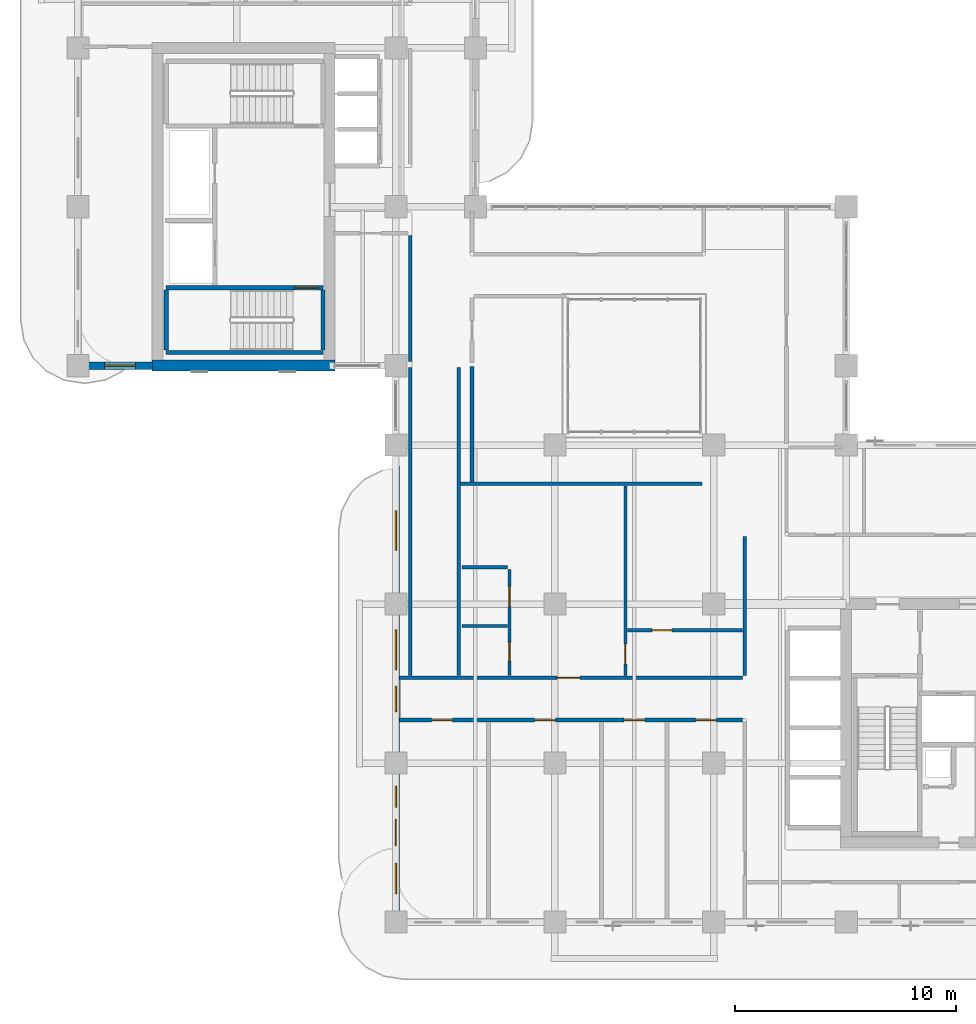
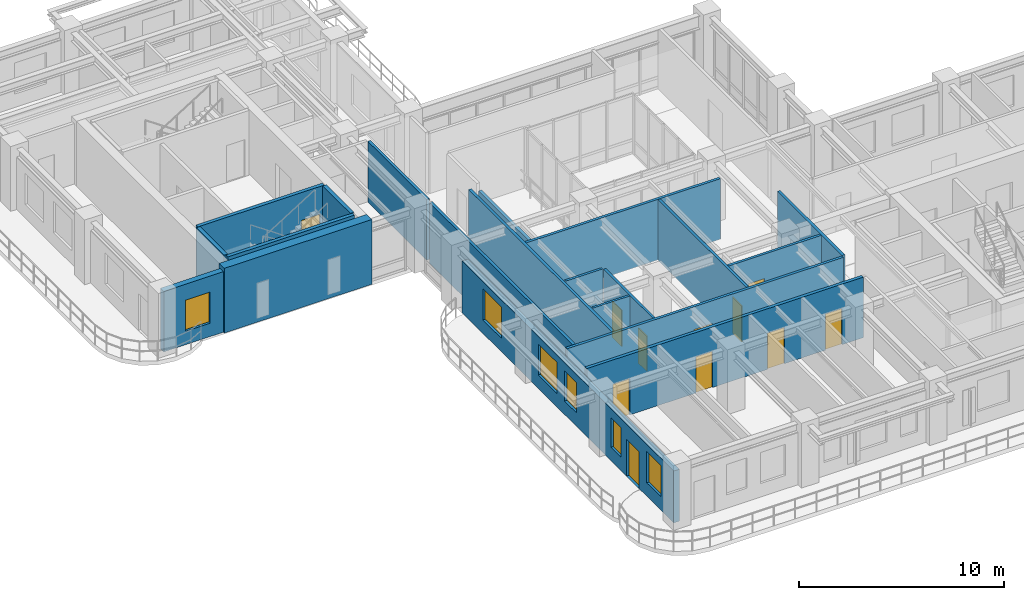
# One storey, part 11 of 21: 20 walls, 11 doors, 6 windows, 17 openings.
"""IFC4 building model written with IfcOpenShell, lengths in metres."""

from ifc_helpers import new_model, si_unit, derived_unit, direction, frame, frame_2d, origin, place, context, subcontext, project, spatial, rectangle, extrude, source, transform, mapped, material, layer, layer_set, type_object, type_shapes, element, fill, save


model = new_model("IFC4")

# Units and contexts
model_context = context("Model", 3, precision=1e-05, world=origin(), true_north=direction((0.0, 1.0)))
body_context = subcontext(model_context, "Body", "Model", "MODEL_VIEW")
ifc_project = project(units=[si_unit("LENGTHUNIT", "METRE"), si_unit("AREAUNIT", "SQUARE_METRE"), si_unit("VOLUMEUNIT", "CUBIC_METRE"), si_unit("PLANEANGLEUNIT", "RADIAN"), si_unit("MASSUNIT", "GRAM", prefix="KILO"), si_unit("THERMODYNAMICTEMPERATUREUNIT", "KELVIN"), si_unit("POWERUNIT", "WATT"), derived_unit("THERMALTRANSMITTANCEUNIT", [(si_unit("POWERUNIT", "WATT"), 1), (si_unit("AREAUNIT", "SQUARE_METRE"), -1), (si_unit("THERMODYNAMICTEMPERATUREUNIT", "KELVIN"), -1)])], contexts=[model_context])

# Site, building, storey
site_placement = place(None, origin())
site = spatial("IfcSite", under=ifc_project, at=site_placement, CompositionType="ELEMENT")
building_placement = place(site_placement, origin())
building = spatial("IfcBuilding", under=site, at=building_placement, Name="Zahravan Archway Hotel and Residences", CompositionType="ELEMENT")
storey_placement = place(building_placement, frame((0.0, 0.0, 169.550048828125)))
storey = spatial("IfcBuildingStorey", under=building, at=storey_placement, Name="L42", CompositionType="ELEMENT", Elevation=169.550048828125)

# Wall
ifc_material_1 = material(Name="Concrete C60/75", Category="concrete")
ifc_layer_1 = layer(ifc_material_1, 0.5, Name="Concrete C60/75", Category="concrete")
ifc_layer_set_1 = layer_set([ifc_layer_1], Name="Concrete C60/75")
wall_type_1 = type_object("IfcWallType", Name="CW-CORE-500", PredefinedType="SHEAR", material=ifc_layer_set_1)
wall_1_placement = place(storey_placement, frame((3.35009765625, 25.199951171875, 0.0), z_axis=(0.0, 0.0, 1.0), x_axis=(1.0, 0.0, 0.0)))
element("IfcWall", 1, at=wall_1_placement, inside=storey, type_object=wall_type_1, Name="L42 Core B Shear S Wall 500 mm", PredefinedType="SHEAR", context=body_context, shape_type="SweptSolid", body=[
    extrude(rectangle(XDim=8.2998046875, YDim=0.5, at=frame_2d((4.14990234375, 0.0))), origin(), (0.0, 0.0, 1.0), 3.849853515625),
])

# Wall, openings, door, windows
ifc_material_2 = material(Name="Agra Buff Sandstone & Insulated Backup", Category="masonry")
ifc_layer_2 = layer(ifc_material_2, 0.320068359375, Name="Agra Buff Sandstone & Insulated Backup", Category="masonry")
ifc_layer_set_2 = layer_set([ifc_layer_2], Name="Agra Buff Sandstone & Insulated Backup")
wall_type_2 = type_object("IfcWallType", Name="EW-SAND-320", PredefinedType="SOLIDWALL", material=ifc_layer_set_2)
wall_2_placement = place(storey_placement, frame((14.39990234375, 0.050048828125, 0.0), z_axis=(0.0, 0.0, 1.0), x_axis=(0.0, 1.0, 0.0)))
wall_2 = element("IfcWall", 2, at=wall_2_placement, inside=storey, type_object=wall_type_2, Name="L42 Exterior Sandstone Wall WA-WL", PredefinedType="SOLIDWALL", context=body_context, shape_type="SweptSolid", body=[
    extrude(rectangle(XDim=20.599853515625, YDim=0.320068359375, at=frame_2d((10.2998046875, 0.0))), origin(), (0.0, 0.0, 1.0), 3.0849609375),
])
opening_1_placement = place(wall_2_placement, frame((3.39990234375, 0.0, 0.0)))
opening_1 = element("IfcOpeningElement", 3, at=opening_1_placement, cuts=wall_2, Name="Opening ED-BL1", PredefinedType="OPENING", context=body_context, shape_type="SweptSolid", body=[
    extrude(rectangle(XDim=1.199951171875, YDim=2.199951171875, at=frame_2d((0.60009765625, 1.10009765625))), frame((0.0, 0.169921875, 0.0), z_axis=(0.0, -1.0, 0.0), x_axis=(1.0, 0.0, 0.0)), (0.0, 0.0, 1.0), 0.340087890625),
])
opening_2_placement = place(wall_2_placement, frame((1.22509765625, 0.0, 0.800048828125)))
opening_2 = element("IfcOpeningElement", 4, at=opening_2_placement, cuts=wall_2, Name="Opening W-03", PredefinedType="OPENING", context=body_context, shape_type="SweptSolid", body=[
    extrude(rectangle(XDim=1.39990234375, YDim=1.85009765625, at=frame_2d((0.699951171875, 0.925048828125))), frame((0.0, 0.169921875, 0.0), z_axis=(0.0, -1.0, 0.0), x_axis=(1.0, 0.0, 0.0)), (0.0, 0.0, 1.0), 0.340087890625),
])
opening_3_placement = place(wall_2_placement, frame((5.14990234375, 0.0, 0.800048828125)))
opening_3 = element("IfcOpeningElement", 5, at=opening_3_placement, cuts=wall_2, Name="Opening W-04", PredefinedType="OPENING", context=body_context, shape_type="SweptSolid", body=[
    extrude(rectangle(XDim=0.949951171875, YDim=1.75, at=frame_2d((0.47509765625, 0.875))), frame((0.0, 0.169921875, 0.0), z_axis=(0.0, -1.0, 0.0), x_axis=(1.0, 0.0, 0.0)), (0.0, 0.0, 1.0), 0.340087890625),
])
opening_4_placement = place(wall_2_placement, frame((9.485107421875, 0.0, 0.800048828125)))
opening_4 = element("IfcOpeningElement", 6, at=opening_4_placement, cuts=wall_2, Name="Opening W-05", PredefinedType="OPENING", context=body_context, shape_type="SweptSolid", body=[
    extrude(rectangle(XDim=1.14990234375, YDim=1.800048828125, at=frame_2d((0.574951171875, 0.89990234375))), frame((0.0, 0.169921875, 0.0), z_axis=(0.0, -1.0, 0.0), x_axis=(1.0, 0.0, 0.0)), (0.0, 0.0, 1.0), 0.340087890625),
])
opening_5_placement = place(wall_2_placement, frame((11.388916015625, 0.0, 0.800048828125)))
opening_5 = element("IfcOpeningElement", 7, at=opening_5_placement, cuts=wall_2, Name="Opening W-02", PredefinedType="OPENING", context=body_context, shape_type="SweptSolid", body=[
    extrude(rectangle(XDim=1.800048828125, YDim=1.85009765625, at=frame_2d((0.89990234375, 0.925048828125))), frame((0.0, 0.169921875, 0.0), z_axis=(0.0, -1.0, 0.0), x_axis=(1.0, 0.0, 0.0)), (0.0, 0.0, 1.0), 0.340087890625),
])
opening_6_placement = place(wall_2_placement, frame((16.7900390625, 0.0, 0.800048828125)))
opening_6 = element("IfcOpeningElement", 8, at=opening_6_placement, cuts=wall_2, Name="Opening W-02", PredefinedType="OPENING", context=body_context, shape_type="SweptSolid", body=[
    extrude(rectangle(XDim=1.800048828125, YDim=1.85009765625, at=frame_2d((0.89990234375, 0.925048828125))), frame((0.0, 0.169921875, 0.0), z_axis=(0.0, -1.0, 0.0), x_axis=(1.0, 0.0, 0.0)), (0.0, 0.0, 1.0), 0.340087890625),
])
ifc_material_3 = material(Name="Bronze-Anodized Glazed Aluminium", Category="aluminium")
door_type_1 = type_object("IfcDoorType", Name="ED-BALC-1200", OperationType="SLIDING_TO_LEFT", PredefinedType="DOOR", material=ifc_material_3)
shared_shape_1 = source(origin(), body_context, "Body", "SweptSolid", [
    extrude(rectangle(XDim=1.199951171875, YDim=2.199951171875, at=frame_2d((0.60009765625, 1.10009765625))), frame((0.0, 0.02490234375, 0.0), z_axis=(0.0, -1.0, 0.0), x_axis=(1.0, 0.0, 0.0)), (0.0, 0.0, 1.0), 0.050048828125),
])
type_shapes(door_type_1, [shared_shape_1])
door_1_placement = place(opening_1_placement, origin())
door_1 = element("IfcDoor", 9, at=door_1_placement, inside=storey, type_object=door_type_1, Name="L42 Outdoor Access Sliding Door (SLB-BAL-L42-WA)", OperationType="SLIDING_TO_LEFT", OverallHeight=2.199951171875, OverallWidth=1.199951171875, PredefinedType="DOOR", context=body_context, shape_type="MappedRepresentation", body=[
    mapped(shared_shape_1, transform((0.0, 0.0, 0.0), scale=1.0)),
])
fill(opening_1, door_1)
ifc_material_4 = material(Name="Bronze-Anodized Thermal-Break Aluminium & Low-E Glass", Category="aluminium")
window_type_1 = type_object("IfcWindowType", Name="WIN-TWR-1400", PartitioningType="SINGLE_PANEL", PredefinedType="WINDOW", material=ifc_material_4)
shared_shape_2 = source(origin(), body_context, "Body", "SweptSolid", [
    extrude(rectangle(XDim=1.39990234375, YDim=1.85009765625, at=frame_2d((0.699951171875, 0.925048828125))), frame((0.0, 0.030029296875, 0.0), z_axis=(0.0, -1.0, 0.0), x_axis=(1.0, 0.0, 0.0)), (0.0, 0.0, 1.0), 0.06005859375),
])
type_shapes(window_type_1, [shared_shape_2])
window_1_placement = place(opening_2_placement, origin())
window_1 = element("IfcWindow", 10, at=window_1_placement, inside=storey, type_object=window_type_1, Name="L42 Loggia Window 16", OverallHeight=1.85009765625, OverallWidth=1.39990234375, PartitioningType="SINGLE_PANEL", PredefinedType="WINDOW", context=body_context, shape_type="MappedRepresentation", body=[
    mapped(shared_shape_2, transform((0.0, 0.0, 0.0), scale=1.0)),
])
fill(opening_2, window_1)
window_type_2 = type_object("IfcWindowType", Name="WIN-NAR-950", PartitioningType="SINGLE_PANEL", PredefinedType="WINDOW", material=ifc_material_4)
shared_shape_3 = source(origin(), body_context, "Body", "SweptSolid", [
    extrude(rectangle(XDim=0.949951171875, YDim=1.75, at=frame_2d((0.47509765625, 0.875))), frame((0.0, 0.030029296875, 0.0), z_axis=(0.0, -1.0, 0.0), x_axis=(1.0, 0.0, 0.0)), (0.0, 0.0, 1.0), 0.06005859375),
])
type_shapes(window_type_2, [shared_shape_3])
window_2_placement = place(opening_3_placement, origin())
window_2 = element("IfcWindow", 11, at=window_2_placement, inside=storey, type_object=window_type_2, Name="L42 Loggia Window 17", OverallHeight=1.75, OverallWidth=0.949951171875, PartitioningType="SINGLE_PANEL", PredefinedType="WINDOW", context=body_context, shape_type="MappedRepresentation", body=[
    mapped(shared_shape_3, transform((0.0, 0.0, 0.0), scale=1.0)),
])
fill(opening_3, window_2)
window_type_3 = type_object("IfcWindowType", Name="WIN-TWR-1800", PartitioningType="DOUBLE_PANEL_VERTICAL", PredefinedType="WINDOW", material=ifc_material_4)
shared_shape_4 = source(origin(), body_context, "Body", "SweptSolid", [
    extrude(rectangle(XDim=1.800048828125, YDim=1.85009765625, at=frame_2d((0.89990234375, 0.925048828125))), frame((0.0, 0.030029296875, 0.0), z_axis=(0.0, -1.0, 0.0), x_axis=(1.0, 0.0, 0.0)), (0.0, 0.0, 1.0), 0.06005859375),
])
type_shapes(window_type_3, [shared_shape_4])
window_3_placement = place(opening_5_placement, origin())
window_3 = element("IfcWindow", 12, at=window_3_placement, inside=storey, type_object=window_type_3, Name="L42 Loggia Window 19", OverallHeight=1.85009765625, OverallWidth=1.800048828125, PartitioningType="DOUBLE_PANEL_VERTICAL", PredefinedType="WINDOW", context=body_context, shape_type="MappedRepresentation", body=[
    mapped(shared_shape_4, transform((0.0, 0.0, 0.0), scale=1.0)),
])
fill(opening_5, window_3)
window_4_placement = place(opening_6_placement, origin())
window_4 = element("IfcWindow", 13, at=window_4_placement, inside=storey, type_object=window_type_3, Name="L42 Loggia Window 20", OverallHeight=1.85009765625, OverallWidth=1.800048828125, PartitioningType="DOUBLE_PANEL_VERTICAL", PredefinedType="WINDOW", context=body_context, shape_type="MappedRepresentation", body=[
    mapped(shared_shape_4, transform((0.0, 0.0, 0.0), scale=1.0)),
])
fill(opening_6, window_4)
window_type_4 = type_object("IfcWindowType", Name="WIN-TWR-1150", PartitioningType="SINGLE_PANEL", PredefinedType="WINDOW", material=ifc_material_4)
shared_shape_5 = source(origin(), body_context, "Body", "SweptSolid", [
    extrude(rectangle(XDim=1.14990234375, YDim=1.800048828125, at=frame_2d((0.574951171875, 0.89990234375))), frame((0.0, 0.030029296875, 0.0), z_axis=(0.0, -1.0, 0.0), x_axis=(1.0, 0.0, 0.0)), (0.0, 0.0, 1.0), 0.06005859375),
])
type_shapes(window_type_4, [shared_shape_5])
window_5_placement = place(opening_4_placement, origin())
window_5 = element("IfcWindow", 14, at=window_5_placement, inside=storey, type_object=window_type_4, Name="L42 Loggia Window 18", OverallHeight=1.800048828125, OverallWidth=1.14990234375, PartitioningType="SINGLE_PANEL", PredefinedType="WINDOW", context=body_context, shape_type="MappedRepresentation", body=[
    mapped(shared_shape_5, transform((0.0, 0.0, 0.0), scale=1.0)),
])
fill(opening_4, window_5)

# Wall, opening, window
wall_3_placement = place(storey_placement, frame((0.0, 25.199951171875, 0.0), z_axis=(0.0, 0.0, 1.0), x_axis=(1.0, 0.0, 0.0)))
wall_3 = element("IfcWall", 15, at=wall_3_placement, inside=storey, type_object=wall_type_2, Name="L42 Exterior Sandstone Wall WB-SW", PredefinedType="SOLIDWALL", context=body_context, shape_type="SweptSolid", body=[
    extrude(rectangle(XDim=3.3798828125, YDim=0.320068359375, at=frame_2d((1.68994140625, 0.0))), origin(), (0.0, 0.0, 1.0), 3.599853515625),
])
opening_7_placement = place(wall_3_placement, frame((1.205078125, 0.0, 0.800048828125)))
opening_7 = element("IfcOpeningElement", 16, at=opening_7_placement, cuts=wall_3, Name="Opening W-03", PredefinedType="OPENING", context=body_context, shape_type="SweptSolid", body=[
    extrude(rectangle(XDim=1.39990234375, YDim=1.85009765625, at=frame_2d((0.699951171875, 0.925048828125))), frame((0.0, 0.169921875, 0.0), z_axis=(0.0, -1.0, 0.0), x_axis=(1.0, 0.0, 0.0)), (0.0, 0.0, 1.0), 0.340087890625),
])
window_6_placement = place(opening_7_placement, origin())
window_6 = element("IfcWindow", 17, at=window_6_placement, inside=storey, type_object=window_type_1, Name="L42 Loggia Window 21", OverallHeight=1.85009765625, OverallWidth=1.39990234375, PartitioningType="SINGLE_PANEL", PredefinedType="WINDOW", context=body_context, shape_type="MappedRepresentation", body=[
    mapped(shared_shape_2, transform((0.0, 0.0, 0.0), scale=1.0)),
])
fill(opening_7, window_6)

# Wall, opening, door
ifc_material_5 = material(Name="Fire-Rated Gypsum & Concrete Block", Category="concrete")
ifc_layer_3 = layer(ifc_material_5, 0.159912109375, Name="Fire-Rated Gypsum & Concrete Block", Category="concrete")
ifc_layer_set_3 = layer_set([ifc_layer_3], Name="Fire-Rated Gypsum & Concrete Block")
wall_type_3 = type_object("IfcWallType", Name="PW-CORR-160", PredefinedType="PARTITIONING", material=ifc_layer_set_3)
wall_4_placement = place(storey_placement, frame((14.568115234375, 11.070068359375, 0.0), z_axis=(0.0, 0.0, 1.0), x_axis=(1.0, 0.0, 0.0)))
wall_4 = element("IfcWall", 18, at=wall_4_placement, inside=storey, type_object=wall_type_3, Name="L42 Partition WA-CN", PredefinedType="PARTITIONING", context=body_context, shape_type="SweptSolid", body=[
    extrude(rectangle(XDim=15.5419921875, YDim=0.159912109375, at=frame_2d((7.77099609375, 0.0))), origin(), (0.0, 0.0, 1.0), 3.599853515625),
])
opening_8_placement = place(wall_4_placement, frame((7.1220703125, 0.0, 0.0)))
opening_8 = element("IfcOpeningElement", 19, at=opening_8_placement, cuts=wall_4, Name="Opening D-U1", PredefinedType="OPENING", context=body_context, shape_type="SweptSolid", body=[
    extrude(rectangle(XDim=1.050048828125, YDim=2.25, at=frame_2d((0.52490234375, 1.125))), frame((0.0, 0.08984375, 0.0), z_axis=(0.0, -1.0, 0.0), x_axis=(1.0, 0.0, 0.0)), (0.0, 0.0, 1.0), 0.179931640625),
])
ifc_material_6 = material(Name="Hardwood Veneer Timber", Category="wood")
door_type_2 = type_object("IfcDoorType", Name="ID-UNIT-1050", OperationType="NOTDEFINED", PredefinedType="DOOR", material=ifc_material_6)
shared_shape_6 = source(origin(), body_context, "Body", "SweptSolid", [
    extrude(rectangle(XDim=1.050048828125, YDim=2.25, at=frame_2d((0.52490234375, 1.125))), frame((0.0, 0.02490234375, 0.0), z_axis=(0.0, -1.0, 0.0), x_axis=(1.0, 0.0, 0.0)), (0.0, 0.0, 1.0), 0.050048828125),
])
type_shapes(door_type_2, [shared_shape_6])
door_2_placement = place(opening_8_placement, origin())
door_2 = element("IfcDoor", 20, at=door_2_placement, inside=storey, type_object=door_type_2, Name="L42 Flat AT1 Entrance Door", OperationType="SINGLE_SWING_LEFT", OverallHeight=2.25, OverallWidth=1.050048828125, PredefinedType="DOOR", context=body_context, shape_type="MappedRepresentation", body=[
    mapped(shared_shape_6, transform((0.0, 0.0, 0.0), scale=1.0)),
])
fill(opening_8, door_2)

# Walls
wall_5_placement = place(storey_placement, frame((30.199951171875, 11.159912109375, 0.0), z_axis=(0.0, 0.0, 1.0), x_axis=(0.0, 1.0, 0.0)))
element("IfcWall", 21, at=wall_5_placement, inside=storey, type_object=wall_type_3, Name="L42 Partition WA-FW", PredefinedType="PARTITIONING", context=body_context, shape_type="SweptSolid", body=[
    extrude(rectangle(XDim=6.300048828125, YDim=0.159912109375, at=frame_2d((3.14990234375, 0.0))), origin(), (0.0, 0.0, 1.0), 3.599853515625),
])
for number, where, z_axis, x_axis, name in (
    (22, (15.050048828125, 11.159912109375, 0.0), (0.0, 0.0, 1.0), (0.0, 1.0, 0.0), "L42 Partition LNK-W"),
    (23, (17.25, 11.159912109375, 0.0), (0.0, 0.0, 1.0), (0.0, 1.0, 0.0), "L42 Partition LNK-E"),
):
    element("IfcWall", number, at=place(storey_placement, frame(where, z_axis=z_axis, x_axis=x_axis)), inside=storey, type_object=wall_type_3, Name=name, PredefinedType="PARTITIONING", context=body_context, shape_type="SweptSolid", body=[
        extrude(rectangle(XDim=13.9501953125, YDim=0.159912109375, at=frame_2d((6.97509765625, 0.0))), origin(), (0.0, 0.0, 1.0), 3.599853515625),
    ])
wall_6_placement = place(storey_placement, frame((15.050048828125, 25.389892578125, 0.0), z_axis=(0.0, 0.0, 1.0), x_axis=(0.0, 1.0, 0.0)))
element("IfcWall", 24, at=wall_6_placement, inside=storey, type_object=wall_type_3, Name="L42 Partition FB1-E", PredefinedType="PARTITIONING", context=body_context, shape_type="SweptSolid", body=[
    extrude(rectangle(XDim=5.72021484375, YDim=0.159912109375, at=frame_2d((2.860107421875, 0.0))), origin(), (0.0, 0.0, 1.0), 3.599853515625),
])
wall_7_placement = place(storey_placement, frame((17.340087890625, 19.85009765625, 0.0), z_axis=(0.0, 0.0, 1.0), x_axis=(1.0, 0.0, 0.0)))
element("IfcWall", 25, at=wall_7_placement, inside=storey, type_object=wall_type_3, Name="L42 Partition ATR-S", PredefinedType="PARTITIONING", context=body_context, shape_type="SweptSolid", body=[
    extrude(rectangle(XDim=10.919921875, YDim=0.159912109375, at=frame_2d((5.4599609375, 0.0))), origin(), (0.0, 0.0, 1.0), 3.599853515625),
])

# Wall, openings, doors
ifc_layer_4 = layer(ifc_material_5, 0.179931640625, Name="Fire-Rated Gypsum & Concrete Block", Category="concrete")
ifc_layer_set_4 = layer_set([ifc_layer_4], Name="Fire-Rated Gypsum & Concrete Block")
wall_type_4 = type_object("IfcWallType", Name="PW-CORR-180", PredefinedType="PARTITIONING", material=ifc_layer_set_4)
wall_8_placement = place(storey_placement, frame((14.568115234375, 9.14990234375, 0.0), z_axis=(0.0, 0.0, 1.0), x_axis=(1.0, 0.0, 0.0)))
wall_8 = element("IfcWall", 26, at=wall_8_placement, inside=storey, type_object=wall_type_4, Name="L42 Partition WA-CS", PredefinedType="PARTITIONING", context=body_context, shape_type="SweptSolid", body=[
    extrude(rectangle(XDim=15.5419921875, YDim=0.179931640625, at=frame_2d((7.77099609375, 0.0))), origin(), (0.0, 0.0, 1.0), 3.599853515625),
])
opening_9_placement = place(wall_8_placement, frame((1.45703125, 0.0, 0.0)))
opening_9 = element("IfcOpeningElement", 27, at=opening_9_placement, cuts=wall_8, Name="Opening D-I1", PredefinedType="OPENING", context=body_context, shape_type="SweptSolid", body=[
    extrude(rectangle(XDim=0.949951171875, YDim=2.14990234375, at=frame_2d((0.47509765625, 1.074951171875))), frame((0.0, 0.10009765625, 0.0), z_axis=(0.0, -1.0, 0.0), x_axis=(1.0, 0.0, 0.0)), (0.0, 0.0, 1.0), 0.199951171875),
])
opening_10_placement = place(wall_8_placement, frame((6.116943359375, 0.0, 0.0)))
opening_10 = element("IfcOpeningElement", 28, at=opening_10_placement, cuts=wall_8, Name="Opening D-I1", PredefinedType="OPENING", context=body_context, shape_type="SweptSolid", body=[
    extrude(rectangle(XDim=0.949951171875, YDim=2.14990234375, at=frame_2d((0.47509765625, 1.074951171875))), frame((0.0, 0.10009765625, 0.0), z_axis=(0.0, -1.0, 0.0), x_axis=(1.0, 0.0, 0.0)), (0.0, 0.0, 1.0), 0.199951171875),
])
opening_11_placement = place(wall_8_placement, frame((10.156982421875, 0.0, 0.0)))
opening_11 = element("IfcOpeningElement", 29, at=opening_11_placement, cuts=wall_8, Name="Opening D-I1", PredefinedType="OPENING", context=body_context, shape_type="SweptSolid", body=[
    extrude(rectangle(XDim=0.949951171875, YDim=2.14990234375, at=frame_2d((0.47509765625, 1.074951171875))), frame((0.0, 0.10009765625, 0.0), z_axis=(0.0, -1.0, 0.0), x_axis=(1.0, 0.0, 0.0)), (0.0, 0.0, 1.0), 0.199951171875),
])
opening_12_placement = place(wall_8_placement, frame((13.39697265625, 0.0, 0.0)))
opening_12 = element("IfcOpeningElement", 30, at=opening_12_placement, cuts=wall_8, Name="Opening D-I1", PredefinedType="OPENING", context=body_context, shape_type="SweptSolid", body=[
    extrude(rectangle(XDim=0.949951171875, YDim=2.14990234375, at=frame_2d((0.47509765625, 1.074951171875))), frame((0.0, 0.10009765625, 0.0), z_axis=(0.0, -1.0, 0.0), x_axis=(1.0, 0.0, 0.0)), (0.0, 0.0, 1.0), 0.199951171875),
])
door_type_3 = type_object("IfcDoorType", Name="ID-INT-950", OperationType="NOTDEFINED", PredefinedType="DOOR", material=ifc_material_6)
shared_shape_7 = source(origin(), body_context, "Body", "SweptSolid", [
    extrude(rectangle(XDim=0.949951171875, YDim=2.14990234375, at=frame_2d((0.47509765625, 1.074951171875))), frame((0.0, 0.02490234375, 0.0), z_axis=(0.0, -1.0, 0.0), x_axis=(1.0, 0.0, 0.0)), (0.0, 0.0, 1.0), 0.050048828125),
])
type_shapes(door_type_3, [shared_shape_7])
door_3_placement = place(opening_9_placement, origin())
door_3 = element("IfcDoor", 31, at=door_3_placement, inside=storey, type_object=door_type_3, Name="L42 Office 1 Door", OperationType="SINGLE_SWING_RIGHT", OverallHeight=2.14990234375, OverallWidth=0.949951171875, PredefinedType="DOOR", context=body_context, shape_type="MappedRepresentation", body=[
    mapped(shared_shape_7, transform((0.0, 0.0, 0.0), scale=1.0)),
])
fill(opening_9, door_3)
door_4_placement = place(opening_10_placement, origin())
door_4 = element("IfcDoor", 32, at=door_4_placement, inside=storey, type_object=door_type_3, Name="L42 Office 2 Door", OperationType="SINGLE_SWING_LEFT", OverallHeight=2.14990234375, OverallWidth=0.949951171875, PredefinedType="DOOR", context=body_context, shape_type="MappedRepresentation", body=[
    mapped(shared_shape_7, transform((0.0, 0.0, 0.0), scale=1.0)),
])
fill(opening_10, door_4)
door_5_placement = place(opening_11_placement, origin())
door_5 = element("IfcDoor", 33, at=door_5_placement, inside=storey, type_object=door_type_3, Name="L42 Office 3 Door", OperationType="SINGLE_SWING_RIGHT", OverallHeight=2.14990234375, OverallWidth=0.949951171875, PredefinedType="DOOR", context=body_context, shape_type="MappedRepresentation", body=[
    mapped(shared_shape_7, transform((0.0, 0.0, 0.0), scale=1.0)),
])
fill(opening_11, door_5)
door_6_placement = place(opening_12_placement, origin())
door_6 = element("IfcDoor", 34, at=door_6_placement, inside=storey, type_object=door_type_3, Name="L42 Boardroom Door", OperationType="SINGLE_SWING_LEFT", OverallHeight=2.14990234375, OverallWidth=0.949951171875, PredefinedType="DOOR", context=body_context, shape_type="MappedRepresentation", body=[
    mapped(shared_shape_7, transform((0.0, 0.0, 0.0), scale=1.0)),
])
fill(opening_12, door_6)

# Wall, opening, door
ifc_material_7 = material(Name="Acoustic Stud Partition")
ifc_layer_5 = layer(ifc_material_7, 0.14990234375, Name="Acoustic Stud Partition")
ifc_layer_set_5 = layer_set([ifc_layer_5], Name="Acoustic Stud Partition")
wall_type_5 = type_object("IfcWallType", Name="PW-UNIT-150", PredefinedType="PARTITIONING", material=ifc_layer_set_5)
wall_9_placement = place(storey_placement, frame((24.800048828125, 11.159912109375, 0.0), z_axis=(0.0, 0.0, 1.0), x_axis=(0.0, 1.0, 0.0)))
wall_9 = element("IfcWall", 35, at=wall_9_placement, inside=storey, type_object=wall_type_5, Name="L42 Partition FL-AT1-SP", PredefinedType="PARTITIONING", context=body_context, shape_type="SweptSolid", body=[
    extrude(rectangle(XDim=8.60009765625, YDim=0.14990234375, at=frame_2d((4.300048828125, 0.0))), origin(), (0.0, 0.0, 1.0), 3.599853515625),
])
opening_13_placement = place(wall_9_placement, frame((0.534912109375, 0.0, 0.0)))
opening_13 = element("IfcOpeningElement", 36, at=opening_13_placement, cuts=wall_9, Name="Opening D-I2", PredefinedType="OPENING", context=body_context, shape_type="SweptSolid", body=[
    extrude(rectangle(XDim=0.89990234375, YDim=2.14990234375, at=frame_2d((0.449951171875, 1.074951171875))), frame((0.0, 0.0849609375, 0.0), z_axis=(0.0, -1.0, 0.0), x_axis=(1.0, 0.0, 0.0)), (0.0, 0.0, 1.0), 0.169921875),
])
door_type_4 = type_object("IfcDoorType", Name="ID-INT-900", OperationType="NOTDEFINED", PredefinedType="DOOR", material=ifc_material_6)
shared_shape_8 = source(origin(), body_context, "Body", "SweptSolid", [
    extrude(rectangle(XDim=0.89990234375, YDim=2.14990234375, at=frame_2d((0.449951171875, 1.074951171875))), frame((0.0, 0.02490234375, 0.0), z_axis=(0.0, -1.0, 0.0), x_axis=(1.0, 0.0, 0.0)), (0.0, 0.0, 1.0), 0.050048828125),
])
type_shapes(door_type_4, [shared_shape_8])
door_7_placement = place(opening_13_placement, origin())
door_7 = element("IfcDoor", 37, at=door_7_placement, inside=storey, type_object=door_type_4, Name="L42 Flat AT1 Bedroom Hall Door", OperationType="SINGLE_SWING_RIGHT", OverallHeight=2.14990234375, OverallWidth=0.89990234375, PredefinedType="DOOR", context=body_context, shape_type="MappedRepresentation", body=[
    mapped(shared_shape_8, transform((0.0, 0.0, 0.0), scale=1.0)),
])
fill(opening_13, door_7)

wall_10_placement = place(storey_placement, frame((24.889892578125, 13.219970703125, 0.0), z_axis=(0.0, 0.0, 1.0), x_axis=(1.0, 0.0, 0.0)))
wall_10 = element("IfcWall", 38, at=wall_10_placement, inside=storey, type_object=wall_type_5, Name="L42 Partition FL-AT1-GH", PredefinedType="PARTITIONING", context=body_context, shape_type="SweptSolid", body=[
    extrude(rectangle(XDim=5.22021484375, YDim=0.14990234375, at=frame_2d((2.610107421875, 0.0))), origin(), (0.0, 0.0, 1.0), 3.599853515625),
])
opening_14_placement = place(wall_10_placement, frame((1.110107421875, 0.0, 0.0)))
opening_14 = element("IfcOpeningElement", 39, at=opening_14_placement, cuts=wall_10, Name="Opening D-I2", PredefinedType="OPENING", context=body_context, shape_type="SweptSolid", body=[
    extrude(rectangle(XDim=0.89990234375, YDim=2.14990234375, at=frame_2d((0.449951171875, 1.074951171875))), frame((0.0, 0.0849609375, 0.0), z_axis=(0.0, -1.0, 0.0), x_axis=(1.0, 0.0, 0.0)), (0.0, 0.0, 1.0), 0.169921875),
])
door_8_placement = place(opening_14_placement, origin())
door_8 = element("IfcDoor", 40, at=door_8_placement, inside=storey, type_object=door_type_4, Name="L42 Flat AT1 Bedroom 1 Door", OperationType="SINGLE_SWING_LEFT", OverallHeight=2.14990234375, OverallWidth=0.89990234375, PredefinedType="DOOR", context=body_context, shape_type="MappedRepresentation", body=[
    mapped(shared_shape_8, transform((0.0, 0.0, 0.0), scale=1.0)),
])
fill(opening_14, door_8)

# Wall
ifc_layer_6 = layer(ifc_material_7, 0.169921875, Name="Acoustic Stud Partition")
ifc_layer_set_6 = layer_set([ifc_layer_6], Name="Acoustic Stud Partition")
wall_type_6 = type_object("IfcWallType", Name="PW-UNIT-170", PredefinedType="PARTITIONING", material=ifc_layer_set_6)
wall_11_placement = place(storey_placement, frame((17.85009765625, 19.93994140625, 0.0), z_axis=(0.0, 0.0, 1.0), x_axis=(0.0, 1.0, 0.0)))
element("IfcWall", 41, at=wall_11_placement, inside=storey, type_object=wall_type_6, Name="L42 Partition ATR-NWSL", PredefinedType="PARTITIONING", context=body_context, shape_type="SweptSolid", body=[
    extrude(rectangle(XDim=5.219970703125, YDim=0.169921875, at=frame_2d((2.60986328125, 0.0))), origin(), (0.0, 0.0, 1.0), 3.284912109375),
])

# Wall, openings, doors
ifc_material_8 = material(Name="Moisture-Resistant Blockwork", Category="masonry")
ifc_layer_7 = layer(ifc_material_8, 0.139892578125, Name="Moisture-Resistant Blockwork", Category="masonry")
ifc_layer_set_7 = layer_set([ifc_layer_7], Name="Moisture-Resistant Blockwork")
wall_type_7 = type_object("IfcWallType", Name="PW-WET-140", PredefinedType="PARTITIONING", material=ifc_layer_set_7)
wall_12_placement = place(storey_placement, frame((19.550048828125, 11.159912109375, 0.0), z_axis=(0.0, 0.0, 1.0), x_axis=(0.0, 1.0, 0.0)))
wall_12 = element("IfcWall", 42, at=wall_12_placement, inside=storey, type_object=wall_type_7, Name="L42 Partition FL-AT1-BV", PredefinedType="PARTITIONING", context=body_context, shape_type="SweptSolid", body=[
    extrude(rectangle(XDim=4.820068359375, YDim=0.139892578125, at=frame_2d((2.41015625, 0.0))), origin(), (0.0, 0.0, 1.0), 3.599853515625),
])
opening_15_placement = place(wall_12_placement, frame((0.659912109375, 0.0, 0.0)))
opening_15 = element("IfcOpeningElement", 43, at=opening_15_placement, cuts=wall_12, Name="Opening D-B1", PredefinedType="OPENING", context=body_context, shape_type="SweptSolid", body=[
    extrude(rectangle(XDim=0.85009765625, YDim=2.10009765625, at=frame_2d((0.425048828125, 1.050048828125))), frame((0.0, 0.080078125, 0.0), z_axis=(0.0, -1.0, 0.0), x_axis=(1.0, 0.0, 0.0)), (0.0, 0.0, 1.0), 0.159912109375),
])
opening_16_placement = place(wall_12_placement, frame((3.135009765625, 0.0, 0.0)))
opening_16 = element("IfcOpeningElement", 44, at=opening_16_placement, cuts=wall_12, Name="Opening D-I2", PredefinedType="OPENING", context=body_context, shape_type="SweptSolid", body=[
    extrude(rectangle(XDim=0.89990234375, YDim=2.14990234375, at=frame_2d((0.449951171875, 1.074951171875))), frame((0.0, 0.080078125, 0.0), z_axis=(0.0, -1.0, 0.0), x_axis=(1.0, 0.0, 0.0)), (0.0, 0.0, 1.0), 0.159912109375),
])
door_type_5 = type_object("IfcDoorType", Name="ID-BATH-850", OperationType="NOTDEFINED", PredefinedType="DOOR", material=ifc_material_6)
shared_shape_9 = source(origin(), body_context, "Body", "SweptSolid", [
    extrude(rectangle(XDim=0.85009765625, YDim=2.10009765625, at=frame_2d((0.425048828125, 1.050048828125))), frame((0.0, 0.02490234375, 0.0), z_axis=(0.0, -1.0, 0.0), x_axis=(1.0, 0.0, 0.0)), (0.0, 0.0, 1.0), 0.050048828125),
])
type_shapes(door_type_5, [shared_shape_9])
door_9_placement = place(opening_15_placement, origin())
door_9 = element("IfcDoor", 45, at=door_9_placement, inside=storey, type_object=door_type_5, Name="L42 Flat AT1 Bathroom Door", OperationType="SINGLE_SWING_LEFT", OverallHeight=2.10009765625, OverallWidth=0.85009765625, PredefinedType="DOOR", context=body_context, shape_type="MappedRepresentation", body=[
    mapped(shared_shape_9, transform((0.0, 0.0, 0.0), scale=1.0)),
])
fill(opening_15, door_9)
door_10_placement = place(opening_16_placement, origin())
door_10 = element("IfcDoor", 46, at=door_10_placement, inside=storey, type_object=door_type_4, Name="L42 Flat AT1 Kitchen Door", OperationType="SINGLE_SWING_RIGHT", OverallHeight=2.14990234375, OverallWidth=0.89990234375, PredefinedType="DOOR", context=body_context, shape_type="MappedRepresentation", body=[
    mapped(shared_shape_8, transform((0.0, 0.0, 0.0), scale=1.0)),
])
fill(opening_16, door_10)

# Walls
for number, where, z_axis, x_axis, name in (
    (47, (17.389892578125, 13.419921875, 0.0), (0.0, 0.0, 1.0), (1.0, 0.0, 0.0), "L42 Partition FL-AT1-BM"),
    (48, (17.389892578125, 16.070068359375, 0.0), (0.0, 0.0, 1.0), (1.0, 0.0, 0.0), "L42 Partition FL-AT1-KH"),
):
    element("IfcWall", number, at=place(storey_placement, frame(where, z_axis=z_axis, x_axis=x_axis)), inside=storey, type_object=wall_type_7, Name=name, PredefinedType="PARTITIONING", context=body_context, shape_type="SweptSolid", body=[
        extrude(rectangle(XDim=2.070068359375, YDim=0.139892578125, at=frame_2d((1.03515625, 0.0))), origin(), (0.0, 0.0, 1.0), 3.599853515625),
    ])
ifc_material_9 = material(Name="Concrete C50/60", Category="concrete")
ifc_layer_8 = layer(ifc_material_9, 0.199951171875, Name="Concrete C50/60", Category="concrete")
ifc_layer_set_8 = layer_set([ifc_layer_8], Name="Concrete C50/60")
wall_type_8 = type_object("IfcWallType", Name="SW-STAIR-200", PredefinedType="SHEAR", material=ifc_layer_set_8)
wall_13_placement = place(storey_placement, frame((4.0, 25.800048828125, 0.0), z_axis=(0.0, 0.0, 1.0), x_axis=(1.0, 0.0, 0.0)))
element("IfcWall", 49, at=wall_13_placement, inside=storey, type_object=wall_type_8, Name="L42 Stairwell RC Wall CB-SB1S", PredefinedType="SHEAR", context=body_context, shape_type="SweptSolid", body=[
    extrude(rectangle(XDim=7.10009765625, YDim=0.199951171875, at=frame_2d((3.550048828125, 0.0))), origin(), (0.0, 0.0, 1.0), 3.849853515625),
])
for number, where, z_axis, x_axis, name in (
    (50, (4.0, 25.919921875, 0.0), (0.0, 0.0, 1.0), (0.0, 1.0, 0.0), "L42 Stairwell RC Wall CB-SB1W"),
    (51, (11.10009765625, 25.919921875, 0.0), (0.0, 0.0, 1.0), (0.0, 1.0, 0.0), "L42 Stairwell RC Wall CB-SB1E"),
):
    element("IfcWall", number, at=place(storey_placement, frame(where, z_axis=z_axis, x_axis=x_axis)), inside=storey, type_object=wall_type_8, Name=name, PredefinedType="SHEAR", context=body_context, shape_type="SweptSolid", body=[
        extrude(rectangle(XDim=2.7001953125, YDim=0.199951171875, at=frame_2d((1.35009765625, 0.0))), origin(), (0.0, 0.0, 1.0), 3.849853515625),
    ])

# Wall, opening, door
wall_14_placement = place(storey_placement, frame((4.0, 28.739990234375, 0.0), z_axis=(0.0, 0.0, 1.0), x_axis=(1.0, 0.0, 0.0)))
wall_14 = element("IfcWall", 52, at=wall_14_placement, inside=storey, type_object=wall_type_8, Name="L42 Stairwell RC Wall CB-SB1N", PredefinedType="SHEAR", context=body_context, shape_type="SweptSolid", body=[
    extrude(rectangle(XDim=7.10009765625, YDim=0.199951171875, at=frame_2d((3.550048828125, 0.0))), origin(), (0.0, 0.0, 1.0), 3.849853515625),
])
opening_17_placement = place(wall_14_placement, frame((5.81494140625, 0.0, 0.0)))
opening_17 = element("IfcOpeningElement", 53, at=opening_17_placement, cuts=wall_14, Name="Opening FD-S1", PredefinedType="OPENING", context=body_context, shape_type="SweptSolid", body=[
    extrude(rectangle(XDim=1.050048828125, YDim=2.199951171875, at=frame_2d((0.52490234375, 1.10009765625))), frame((0.0, 0.10986328125, 0.0), z_axis=(0.0, -1.0, 0.0), x_axis=(1.0, 0.0, 0.0)), (0.0, 0.0, 1.0), 0.219970703125),
])
ifc_material_10 = material(Name="Fire-Rated Painted Steel", Category="steel")
door_type_6 = type_object("IfcDoorType", Name="FD-STAIR-1100", OperationType="NOTDEFINED", PredefinedType="DOOR", material=ifc_material_10)
shared_shape_10 = source(origin(), body_context, "Body", "SweptSolid", [
    extrude(rectangle(XDim=1.050048828125, YDim=2.199951171875, at=frame_2d((0.52490234375, 1.10009765625))), frame((0.0, 0.02490234375, 0.0), z_axis=(0.0, -1.0, 0.0), x_axis=(1.0, 0.0, 0.0)), (0.0, 0.0, 1.0), 0.050048828125),
])
type_shapes(door_type_6, [shared_shape_10])
door_11_placement = place(opening_17_placement, origin())
door_11 = element("IfcDoor", 54, at=door_11_placement, inside=storey, type_object=door_type_6, Name="L42 Stair ST-B1 Door", OperationType="SINGLE_SWING_LEFT", OverallHeight=2.199951171875, OverallWidth=1.050048828125, PredefinedType="DOOR", context=body_context, shape_type="MappedRepresentation", body=[
    mapped(shared_shape_10, transform((0.0, 0.0, 0.0), scale=1.0)),
])
fill(opening_17, door_11)

save(model, "model.ifc")
